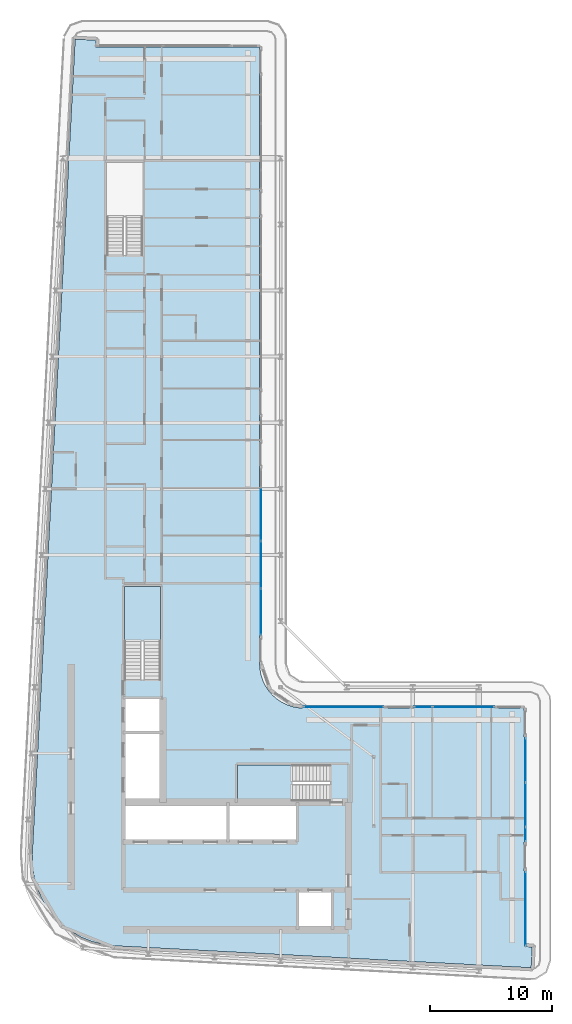
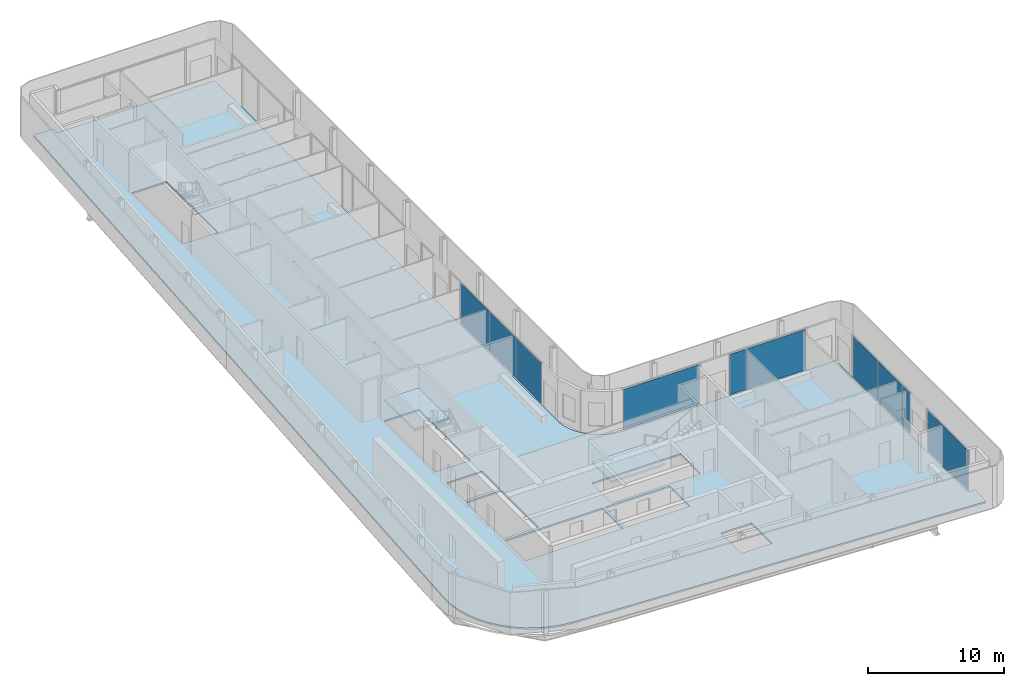
# One storey, part 9 of 21: 10 plates, 3 slabs, 9 elements without a shape of their own.
"""IFC4 building model written with IfcOpenShell, lengths in metres."""

import ifcopenshell
import ifcopenshell.guid

model = None  # the IFC model being written
_history = None  # IfcOwnerHistory: only IFC2X3 demands one
_inside = {}  # id of a spatial element -> (the spatial element, [elements in it])
_under = {}  # id of a project, library or spatial element -> (it, [spatial elements below it])
_declared = {}  # id of a project -> (the project, [libraries it declares])
_typed = {}  # id of a type object -> (the type object, [elements of that type])
_made_of = {}  # id of a material, layer set ... -> (it, [elements and type objects made of it])


def new_model(schema):
    """Start an empty IFC model of exactly this schema.

    Asked for "IFC4X3", IfcOpenShell would pick the latest addendum, in which some entities
    have other attributes; the version numbers below select the first issue.
    IFC2X3 requires an IfcOwnerHistory on every rooted entity: one is made here for all.
    """
    global model, _history
    if schema == "IFC4X3":
        model = ifcopenshell.file(schema_version=(4, 3, 0, 0))
    else:
        model = ifcopenshell.file(schema=schema)
    _inside.clear()
    _under.clear()
    _declared.clear()
    _typed.clear()
    _made_of.clear()
    _history = None
    if model.schema == "IFC2X3":
        org = make("IfcOrganization", Name="unknown")
        user = make(
            "IfcPersonAndOrganization",
            ThePerson=make("IfcPerson", FamilyName="unknown"),
            TheOrganization=org,
        )
        app = make(
            "IfcApplication",
            ApplicationDeveloper=org,
            Version="unknown",
            ApplicationFullName="unknown",
            ApplicationIdentifier="unknown",
        )
        _history = make(
            "IfcOwnerHistory",
            OwningUser=user,
            OwningApplication=app,
            ChangeAction="ADDED",
            CreationDate=0,
        )
    return model


def make(cls, **values):
    """One entity of the class cls with the attributes given. An attribute that is None is left unset."""
    return model.create_entity(
        cls, **{name: value for name, value in values.items() if value is not None}
    )


def rooted(cls, **values):
    """An entity with a GlobalId (a new one), such as an element, a storey or a relation."""
    return make(cls, GlobalId=ifcopenshell.guid.new(), OwnerHistory=_history, **values)


def si_unit(unit_type, name, prefix=None):
    """IfcSIUnit, for example si_unit("LENGTHUNIT", "METRE", prefix="MILLI")."""
    return make("IfcSIUnit", UnitType=unit_type, Prefix=prefix, Name=name)


def assignment(units):
    """IfcUnitAssignment: the units of a project."""
    return None if units is None else make("IfcUnitAssignment", Units=units)


def point(xyz):
    """IfcCartesianPoint."""
    return None if xyz is None else make("IfcCartesianPoint", Coordinates=xyz)


def direction(xyz):
    """IfcDirection."""
    return None if xyz is None else make("IfcDirection", DirectionRatios=xyz)


def frame(location, z_axis=None, x_axis=None):
    """IfcAxis2Placement3D, a coordinate frame: its origin and axes. An axis left out is left unset."""
    return make(
        "IfcAxis2Placement3D",
        Location=point(location),
        Axis=direction(z_axis),
        RefDirection=direction(x_axis),
    )


def frame_2d(location, x_axis=None):
    """IfcAxis2Placement2D, a coordinate frame in the plane: its origin and x axis."""
    return make(
        "IfcAxis2Placement2D", Location=point(location), RefDirection=direction(x_axis)
    )


def origin():
    """The frame at (0, 0, 0) with its axes left unset."""
    return frame((0.0, 0.0, 0.0))


def origin_2d():
    """The frame at (0, 0) in the plane with its x axis left unset."""
    return frame_2d((0.0, 0.0))


def place(relative_to, where):
    """IfcLocalPlacement: puts the frame where relative to a parent placement (None: the world)."""
    return make(
        "IfcLocalPlacement", PlacementRelTo=relative_to, RelativePlacement=where
    )


def context(
    kind, dimensions, precision=None, world=None, true_north=None, identifier=None
):
    """IfcGeometricRepresentationContext, for example the 3D "Model" context."""
    return make(
        "IfcGeometricRepresentationContext",
        ContextIdentifier=identifier,
        ContextType=kind,
        CoordinateSpaceDimension=dimensions,
        Precision=precision,
        WorldCoordinateSystem=world,
        TrueNorth=true_north,
    )


def subcontext(parent, identifier, kind, view, scale=None):
    """IfcGeometricRepresentationSubContext, for example "Body" below "Model"."""
    return make(
        "IfcGeometricRepresentationSubContext",
        ContextIdentifier=identifier,
        ContextType=kind,
        ParentContext=parent,
        TargetScale=scale,
        TargetView=view,
    )


def project(units=None, contexts=None):
    """IfcProject with its units and contexts."""
    return rooted(
        "IfcProject",
        Name="project",
        RepresentationContexts=contexts,
        UnitsInContext=assignment(units),
    )


def spatial(cls, under=None, at=None, **own):
    """A site, building, storey or space (cls), placed at a placement, below another one or the project."""
    s = rooted(cls, ObjectPlacement=at, **own)
    if under is not None:
        _under.setdefault(under.id(), (under, []))[1].append(s)
    return s


def polyline(points):
    """IfcPolyline through the points."""
    return make("IfcPolyline", Points=[point(p) for p in points])


def profile(cls, at=None, kind="AREA", **sizes):
    """A parametric profile (cls). Its sizes go by their IFC names, for example OverallWidth=200.0."""
    return make(cls, ProfileType=kind, Position=at, **sizes)


def rectangle(**sizes):
    """IfcRectangleProfileDef."""
    return profile("IfcRectangleProfileDef", **sizes)


def outline(outer, holes=None, kind="AREA"):
    """IfcArbitraryClosedProfileDef: a profile drawn as a closed curve; with holes, ...WithVoids."""
    if holes is None:
        return make("IfcArbitraryClosedProfileDef", ProfileType=kind, OuterCurve=outer)
    return make(
        "IfcArbitraryProfileDefWithVoids",
        ProfileType=kind,
        OuterCurve=outer,
        InnerCurves=holes,
    )


def extrude(swept, where, along, depth):
    """IfcExtrudedAreaSolid: the profile swept, set in the frame where, extruded along a direction by depth."""
    return make(
        "IfcExtrudedAreaSolid",
        SweptArea=swept,
        Position=where,
        ExtrudedDirection=direction(along),
        Depth=depth,
    )


def shape(context_of_items, identifier, shape_type, items):
    """IfcShapeRepresentation: the items that make up one representation, for example the "Body"."""
    return make(
        "IfcShapeRepresentation",
        ContextOfItems=context_of_items,
        RepresentationIdentifier=identifier,
        RepresentationType=shape_type,
        Items=items,
    )


def material(Name=None, Category=None):
    """IfcMaterial."""
    return make("IfcMaterial", Name=Name, Category=Category)


def layer(
    of_material, thickness, ventilated=None, Name=None, Category=None, Priority=None
):
    """IfcMaterialLayer: one layer of a wall or slab, of a material (None: an air gap)."""
    return make(
        "IfcMaterialLayer",
        Material=of_material,
        LayerThickness=thickness,
        IsVentilated=ventilated,
        Name=Name,
        Category=Category,
        Priority=Priority,
    )


def layer_set(layers, Name=None):
    """IfcMaterialLayerSet."""
    return make("IfcMaterialLayerSet", MaterialLayers=layers, LayerSetName=Name)


def made_of(thing, what):
    """Note that an element or type object is made of a material, layer set ...; save() writes the relation."""
    if what is not None:
        _made_of.setdefault(what.id(), (what, []))[1].append(thing)
    return thing


def type_object(cls, material=None, **own):
    """A type object (cls), such as IfcWallType, which elements share."""
    return made_of(rooted(cls, **own), material)


def element(
    cls,
    number,
    at=None,
    inside=None,
    cuts=None,
    type_object=None,
    material=None,
    context=None,
    identifier="Body",
    shape_type=None,
    held_by="IfcProductDefinitionShape",
    body=None,
    shapes=None,
    **own,
):
    """One element of the class cls, such as IfcWall. Its Tag is "e" and its number.

    at: its placement. inside: the storey or other place that contains it. cuts: it is an
    opening in that element (IfcRelVoidsElement). A single representation is given by context,
    identifier, shape_type and body (its items); several are given by shapes. held_by: the class
    of the entity that holds the representations. save() writes the other relations.
    """
    e = rooted(cls, Tag="e%d" % number, ObjectPlacement=at, **own)
    if body is not None:
        shapes = [shape(context, identifier, shape_type, body)]
    if shapes is not None:
        e.Representation = make(held_by, Representations=shapes)
    if inside is not None:
        _inside.setdefault(inside.id(), (inside, []))[1].append(e)
    if cuts is not None:
        rooted(
            "IfcRelVoidsElement", RelatingBuildingElement=cuts, RelatedOpeningElement=e
        )
    if type_object is not None:
        _typed.setdefault(type_object.id(), (type_object, []))[1].append(e)
    return made_of(e, material)


def aggregate(whole, parts):
    """IfcRelAggregates: a whole, such as a stair, and the parts it consists of."""
    return rooted("IfcRelAggregates", RelatingObject=whole, RelatedObjects=parts)


def save(model, path):
    """Write the relations noted so far, then the file.

    IfcRelAggregates (storeys below a building ...), IfcRelContainedInSpatialStructure (elements
    in a storey), IfcRelDefinesByType, IfcRelAssociatesMaterial and IfcRelDeclares: one each for
    every whole, place, type object, material and project.
    """
    for whole, parts in _under.values():
        aggregate(whole, parts)
    for where, things in _inside.values():
        rooted(
            "IfcRelContainedInSpatialStructure",
            RelatedElements=things,
            RelatingStructure=where,
        )
    for kind, things in _typed.values():
        rooted("IfcRelDefinesByType", RelatedObjects=things, RelatingType=kind)
    for what, things in _made_of.values():
        rooted("IfcRelAssociatesMaterial", RelatedObjects=things, RelatingMaterial=what)
    for by, libraries in _declared.values():
        rooted("IfcRelDeclares", RelatingContext=by, RelatedDefinitions=libraries)
    model.write(path)


model = new_model("IFC4")

# Units and contexts
model_context = context("Model", 3, precision=1e-05, world=origin(), true_north=direction((0.0, 1.0)))
body_context = subcontext(model_context, "Body", "Model", "MODEL_VIEW")
ifc_project = project(units=[si_unit("LENGTHUNIT", "METRE"), si_unit("AREAUNIT", "SQUARE_METRE"), si_unit("VOLUMEUNIT", "CUBIC_METRE"), si_unit("PLANEANGLEUNIT", "RADIAN"), si_unit("MASSUNIT", "GRAM", prefix="KILO")], contexts=[model_context])

# Site, building, storey
site_placement = place(None, origin())
site = spatial("IfcSite", under=ifc_project, at=site_placement, CompositionType="ELEMENT")
building_placement = place(site_placement, origin())
building = spatial("IfcBuilding", under=site, at=building_placement, Name="Kheshtan School and Residences Tower", CompositionType="ELEMENT")
storey_placement = place(building_placement, frame((0.0, 0.0, 321.5)))
storey = spatial("IfcBuildingStorey", under=building, at=storey_placement, Name="L76", CompositionType="ELEMENT", Elevation=321.5)

# Curtain wall, plate
ifc_material_1 = material(Name="Clear low-e glass in thermally broken aluminium frame", Category="aluminium")
ifc_layer_1 = layer(ifc_material_1, 0.199951171875)
ifc_layer_set_1 = layer_set([ifc_layer_1], Name="Curtain wall CW-L")
curtain_wall_type = type_object("IfcCurtainWallType", Name="Curtain wall CW-L", PredefinedType="NOTDEFINED", material=ifc_layer_set_1)
curtain_wall_1_placement = place(storey_placement, origin())
curtain_wall_1 = element("IfcCurtainWall", 1, at=curtain_wall_1_placement, inside=storey, type_object=curtain_wall_type, Name="Curtain wall CWL8m", PredefinedType="NOTDEFINED")
ifc_layer_2 = layer(ifc_material_1, 0.031982421875)
ifc_layer_set_2 = layer_set([ifc_layer_2], Name="CW-L glass panel")
plate_type = type_object("IfcPlateType", Name="CW-L glass panel", PredefinedType="CURTAIN_PANEL", material=ifc_layer_set_2)
plate_1_placement = place(storey_placement, frame((46.0, 59.72705078125, 0.0), z_axis=(0.0, 0.0, 1.0), x_axis=(0.0, -1.0, 0.0)))
plate_1 = element("IfcPlate", 2, at=plate_1_placement, type_object=plate_type, Name="CWL8m panel 2.1", PredefinedType="CURTAIN_PANEL", context=body_context, shape_type="SweptSolid", body=[
    extrude(rectangle(XDim=4.285888671875, YDim=0.031982421875, at=origin_2d()), origin(), (0.0, 0.0, 1.0), 3.6298828125),
])
aggregate(curtain_wall_1, [plate_1])

# Curtain wall, plates
curtain_wall_2_placement = place(storey_placement, origin())
curtain_wall_2 = element("IfcCurtainWall", 3, at=curtain_wall_2_placement, inside=storey, type_object=curtain_wall_type, Name="Curtain wall CWL8", PredefinedType="NOTDEFINED")
plate_2_placement = place(storey_placement, frame((46.0, 55.615478515625, 0.0), z_axis=(0.0, 0.0, 1.0), x_axis=(0.0, -1.0, 0.0)))
plate_2 = element("IfcPlate", 4, at=plate_2_placement, type_object=plate_type, Name="CWL8 panel 1.1", PredefinedType="CURTAIN_PANEL", context=body_context, shape_type="SweptSolid", body=[
    extrude(rectangle(XDim=3.81689453125, YDim=0.031982421875, at=origin_2d()), origin(), (0.0, 0.0, 1.0), 3.6298828125),
])
plate_3_placement = place(storey_placement, frame((46.0, 51.7685546875, 0.0), z_axis=(0.0, 0.0, 1.0), x_axis=(0.0, -1.0, 0.0)))
plate_3 = element("IfcPlate", 5, at=plate_3_placement, type_object=plate_type, Name="CWL8 panel 2.1", PredefinedType="CURTAIN_PANEL", context=body_context, shape_type="SweptSolid", body=[
    extrude(rectangle(XDim=3.757080078125, YDim=0.031982421875, at=origin_2d()), origin(), (0.0, 0.0, 1.0), 3.6298828125),
])
aggregate(curtain_wall_2, [plate_2, plate_3])

# Curtain wall, plate
curtain_wall_3_placement = place(storey_placement, origin())
curtain_wall_3 = element("IfcCurtainWall", 6, at=curtain_wall_3_placement, inside=storey, type_object=curtain_wall_type, Name="Curtain wall CWL1233", PredefinedType="NOTDEFINED")
plate_4_placement = place(storey_placement, frame((52.74755859375, 44.0, 0.0), z_axis=(0.0, 0.0, 1.0), x_axis=(1.0, 0.0, 0.0)))
plate_4 = element("IfcPlate", 7, at=plate_4_placement, type_object=plate_type, Name="CWL1233 panel 1.1", PredefinedType="CURTAIN_PANEL", context=body_context, shape_type="SweptSolid", body=[
    extrude(rectangle(XDim=6.514892578125, YDim=0.031982421875, at=origin_2d()), origin(), (0.0, 0.0, 1.0), 3.6298828125),
])
aggregate(curtain_wall_3, [plate_4])

# Curtain wall, plates
curtain_wall_4_placement = place(storey_placement, origin())
curtain_wall_4 = element("IfcCurtainWall", 8, at=curtain_wall_4_placement, inside=storey, type_object=curtain_wall_type, Name="Curtain wall CWL1234", PredefinedType="NOTDEFINED")
plate_5_placement = place(storey_placement, frame((59.24755859375, 44.0, 0.0), z_axis=(0.0, 0.0, 1.0), x_axis=(1.0, 0.0, 0.0)))
plate_5 = element("IfcPlate", 9, at=plate_5_placement, type_object=plate_type, Name="CWL1234 panel 1.1", PredefinedType="CURTAIN_PANEL", context=body_context, shape_type="SweptSolid", body=[
    extrude(rectangle(XDim=1.445068359375, YDim=0.031982421875, at=origin_2d()), origin(), (0.0, 0.0, 1.0), 3.6298828125),
])
plate_6_placement = place(storey_placement, frame((62.534912109375, 44.0, 0.0), z_axis=(0.0, 0.0, 1.0), x_axis=(1.0, 0.0, 0.0)))
plate_6 = element("IfcPlate", 10, at=plate_6_placement, type_object=plate_type, Name="CWL1234 panel 2.1", PredefinedType="CURTAIN_PANEL", context=body_context, shape_type="SweptSolid", body=[
    extrude(rectangle(XDim=5.010009765625, YDim=0.031982421875, at=origin_2d()), origin(), (0.0, 0.0, 1.0), 3.6298828125),
])
aggregate(curtain_wall_4, [plate_5, plate_6])

curtain_wall_5_placement = place(storey_placement, origin())
curtain_wall_5 = element("IfcCurtainWall", 11, at=curtain_wall_5_placement, inside=storey, type_object=curtain_wall_type, Name="Curtain wall CWL13e", PredefinedType="NOTDEFINED")
plate_7_placement = place(storey_placement, frame((67.60009765625, 39.64990234375, 0.0), z_axis=(0.0, 0.0, 1.0), x_axis=(0.0, -1.0, 0.0)))
plate_7 = element("IfcPlate", 12, at=plate_7_placement, type_object=plate_type, Name="CWL13e panel 1.1", PredefinedType="CURTAIN_PANEL", context=body_context, shape_type="SweptSolid", body=[
    extrude(rectangle(XDim=3.580322265625, YDim=0.031982421875, at=origin_2d()), origin(), (0.0, 0.0, 1.0), 3.6298828125),
])
plate_8_placement = place(storey_placement, frame((67.60009765625, 36.009521484375, 0.0), z_axis=(0.0, 0.0, 1.0), x_axis=(0.0, -1.0, 0.0)))
plate_8 = element("IfcPlate", 13, at=plate_8_placement, type_object=plate_type, Name="CWL13e panel 2.1", PredefinedType="CURTAIN_PANEL", context=body_context, shape_type="SweptSolid", body=[
    extrude(rectangle(XDim=3.580322265625, YDim=0.031982421875, at=origin_2d()), origin(), (0.0, 0.0, 1.0), 3.6298828125),
])
aggregate(curtain_wall_5, [plate_7, plate_8])

# Curtain wall, plate
curtain_wall_6_placement = place(storey_placement, origin())
curtain_wall_6 = element("IfcCurtainWall", 14, at=curtain_wall_6_placement, inside=storey, type_object=curtain_wall_type, Name="Curtain wall CWL13f", PredefinedType="NOTDEFINED")
plate_9_placement = place(storey_placement, frame((67.60009765625, 33.589599609375, 0.0), z_axis=(0.0, 0.0, 1.0), x_axis=(0.0, -1.0, 0.0)))
plate_9 = element("IfcPlate", 15, at=plate_9_placement, type_object=plate_type, Name="CWL13f panel 1.1", PredefinedType="CURTAIN_PANEL", context=body_context, shape_type="SweptSolid", body=[
    extrude(rectangle(XDim=1.139892578125, YDim=0.031982421875, at=origin_2d()), origin(), (0.0, 0.0, 1.0), 3.6298828125),
])
aggregate(curtain_wall_6, [plate_9])

curtain_wall_7_placement = place(storey_placement, origin())
curtain_wall_7 = element("IfcCurtainWall", 16, at=curtain_wall_7_placement, inside=storey, type_object=curtain_wall_type, Name="Curtain wall CWL13g", PredefinedType="NOTDEFINED")
plate_10_placement = place(storey_placement, frame((67.60009765625, 27.4892578125, 0.0), z_axis=(0.0, 0.0, 1.0), x_axis=(0.0, -1.0, 0.0)))
plate_10 = element("IfcPlate", 17, at=plate_10_placement, type_object=plate_type, Name="CWL13g panel 1.1", PredefinedType="CURTAIN_PANEL", context=body_context, shape_type="SweptSolid", body=[
    extrude(rectangle(XDim=6.0205078125, YDim=0.031982421875, at=origin_2d()), origin(), (0.0, 0.0, 1.0), 3.6298828125),
])
aggregate(curtain_wall_7, [plate_10])

# Slab
ifc_material_2 = material(Name="Concrete C40/50", Category="concrete")
ifc_layer_3 = layer(ifc_material_2, 0.14990234375)
ifc_layer_set_3 = layer_set([ifc_layer_3], Name="Floor slab 150 Concrete C40/50")
slab_type_1 = type_object("IfcSlabType", Name="Floor slab 150 Concrete C40/50", PredefinedType="FLOOR", material=ifc_layer_set_3)
slab_1_placement = place(storey_placement, frame((0.0, 0.0, -0.14990234375)))
element("IfcSlab", 18, at=slab_1_placement, inside=storey, type_object=slab_type_1, Name="Floor slab L76", PredefinedType="FLOOR", context=body_context, shape_type="SweptSolid", body=[
    extrude(outline(polyline([(28.55908203125, 27.550048828125), (28.0849609375, 28.345947265625), (27.718017578125, 29.200927734375), (27.466064453125, 30.093017578125), (27.466064453125, 30.093994140625), (27.3330078125, 31.013916015625), (27.320068359375, 31.965087890625), (27.320068359375, 31.970947265625), (30.822021484375, 98.5009765625), (30.822998046875, 98.508056640625), (30.825927734375, 98.531005859375), (30.825927734375, 98.531982421875), (30.826904296875, 98.531982421875), (31.422119140625, 98.5), (31.423095703125, 98.5), (31.423095703125, 98.4990234375), (31.423095703125, 98.4951171875), (31.423095703125, 98.493896484375), (31.424072265625, 98.493896484375), (31.424072265625, 98.492919921875), (31.425048828125, 98.492919921875), (31.426025390625, 98.492919921875), (31.426025390625, 98.493896484375), (31.427978515625, 98.49609375), (31.428955078125, 98.4970703125), (31.429931640625, 98.498046875), (31.430908203125, 98.498046875), (31.430908203125, 98.4990234375), (31.431884765625, 98.4990234375), (31.431884765625, 98.5), (31.43505859375, 98.5009765625), (31.43603515625, 98.501953125), (31.43896484375, 98.501953125), (31.43994140625, 98.501953125), (31.43994140625, 98.5029296875), (31.44091796875, 98.5029296875), (31.446044921875, 98.5029296875), (32.5009765625, 98.447021484375), (32.50390625, 98.447021484375), (32.5048828125, 98.447021484375), (32.5048828125, 98.446044921875), (32.506103515625, 98.446044921875), (32.510009765625, 98.446044921875), (32.510009765625, 98.445068359375), (32.510986328125, 98.445068359375), (32.510986328125, 98.444091796875), (32.511962890625, 98.444091796875), (32.511962890625, 98.443115234375), (32.512939453125, 98.443115234375), (32.513916015625, 98.443115234375), (32.513916015625, 98.44189453125), (32.514892578125, 98.44189453125), (32.51611328125, 98.44189453125), (32.51904296875, 98.43896484375), (32.51904296875, 98.43798828125), (32.51904296875, 98.43701171875), (32.52001953125, 98.43701171875), (32.52001953125, 98.43603515625), (32.52099609375, 98.43603515625), (32.52099609375, 98.43408203125), (32.52099609375, 98.43310546875), (32.52197265625, 98.43310546875), (32.52197265625, 98.431884765625), (32.52294921875, 98.431884765625), (32.52294921875, 98.430908203125), (32.52294921875, 98.428955078125), (32.52294921875, 98.427978515625), (32.52392578125, 98.427978515625), (32.52392578125, 98.427001953125), (32.52392578125, 98.422119140625), (32.4970703125, 97.9208984375), (32.4970703125, 97.91796875), (32.4970703125, 97.9169921875), (32.49609375, 97.9169921875), (32.49609375, 97.916015625), (32.49609375, 97.912109375), (32.4951171875, 97.910888671875), (32.4951171875, 97.909912109375), (32.493896484375, 97.909912109375), (32.493896484375, 97.908935546875), (32.492919921875, 97.908935546875), (32.492919921875, 97.907958984375), (32.489013671875, 97.904052734375), (32.488037109375, 97.904052734375), (32.488037109375, 97.903076171875), (32.488037109375, 97.902099609375), (32.488037109375, 97.90087890625), (32.489013671875, 97.90087890625), (32.489013671875, 97.89990234375), (32.489990234375, 97.89990234375), (45.85498046875, 97.89990234375), (45.864990234375, 97.89794921875), (45.865966796875, 97.89794921875), (45.868896484375, 97.89599609375), (45.8740234375, 97.89404296875), (45.8779296875, 97.89208984375), (45.881103515625, 97.889892578125), (45.881103515625, 97.888916015625), (45.882080078125, 97.888916015625), (45.882080078125, 97.887939453125), (45.883056640625, 97.887939453125), (45.884033203125, 97.885009765625), (45.885009765625, 97.885009765625), (45.885009765625, 97.884033203125), (45.887939453125, 97.883056640625), (45.887939453125, 97.882080078125), (45.888916015625, 97.882080078125), (45.888916015625, 97.881103515625), (45.889892578125, 97.881103515625), (45.89208984375, 97.8779296875), (45.89404296875, 97.8740234375), (45.89599609375, 97.868896484375), (45.89794921875, 97.865966796875), (45.89794921875, 97.864990234375), (45.89990234375, 97.85498046875), (45.89990234375, 47.429931640625), (45.927001953125, 47.030029296875), (46.01806640625, 46.570068359375), (46.01806640625, 46.569091796875), (46.169921875, 46.1201171875), (46.37890625, 45.697021484375), (46.638916015625, 45.30810546875), (46.949951171875, 44.950927734375), (46.950927734375, 44.949951171875), (47.30810546875, 44.638916015625), (47.697021484375, 44.37890625), (48.1201171875, 44.169921875), (48.569091796875, 44.01806640625), (48.570068359375, 44.01806640625), (49.030029296875, 43.927001953125), (49.429931640625, 43.89990234375), (67.455078125, 43.89990234375), (67.4599609375, 43.89892578125), (67.465087890625, 43.89794921875), (67.466064453125, 43.89794921875), (67.468994140625, 43.89599609375), (67.47412109375, 43.89404296875), (67.47802734375, 43.89208984375), (67.48095703125, 43.889892578125), (67.48095703125, 43.888916015625), (67.48193359375, 43.888916015625), (67.48193359375, 43.887939453125), (67.48291015625, 43.887939453125), (67.48388671875, 43.885009765625), (67.485107421875, 43.885009765625), (67.485107421875, 43.884033203125), (67.488037109375, 43.883056640625), (67.488037109375, 43.882080078125), (67.489013671875, 43.882080078125), (67.489013671875, 43.881103515625), (67.489990234375, 43.881103515625), (67.491943359375, 43.8779296875), (67.493896484375, 43.8740234375), (67.49609375, 43.868896484375), (67.498046875, 43.865966796875), (67.498046875, 43.864990234375), (67.4990234375, 43.860107421875), (67.5, 43.85498046875), (67.5, 24.4140625), (67.5, 24.4130859375), (67.5009765625, 24.4130859375), (67.5009765625, 24.412109375), (67.501953125, 24.412109375), (67.5029296875, 24.412109375), (67.5029296875, 24.4130859375), (67.5048828125, 24.4150390625), (67.507080078125, 24.4169921875), (67.508056640625, 24.4169921875), (67.508056640625, 24.41796875), (67.509033203125, 24.41796875), (67.509033203125, 24.4189453125), (67.510009765625, 24.4189453125), (67.511962890625, 24.419921875), (67.512939453125, 24.4208984375), (67.51611328125, 24.4208984375), (67.51708984375, 24.4208984375), (67.51708984375, 24.422119140625), (67.51806640625, 24.422119140625), (67.52294921875, 24.422119140625), (68.137939453125, 24.388916015625), (68.14111328125, 24.388916015625), (68.14208984375, 24.388916015625), (68.14208984375, 24.387939453125), (68.14306640625, 24.387939453125), (68.14697265625, 24.387939453125), (68.14697265625, 24.386962890625), (68.14794921875, 24.386962890625), (68.14794921875, 24.385986328125), (68.14892578125, 24.385986328125), (68.14892578125, 24.385009765625), (68.14990234375, 24.385009765625), (68.15087890625, 24.385009765625), (68.15087890625, 24.384033203125), (68.152099609375, 24.384033203125), (68.153076171875, 24.384033203125), (68.153076171875, 24.383056640625), (68.155029296875, 24.381103515625), (68.156005859375, 24.381103515625), (68.156005859375, 24.3798828125), (68.156005859375, 24.37890625), (68.156982421875, 24.37890625), (68.156982421875, 24.3779296875), (68.157958984375, 24.3779296875), (68.157958984375, 24.3759765625), (68.157958984375, 24.375), (68.158935546875, 24.375), (68.158935546875, 24.3740234375), (68.159912109375, 24.3740234375), (68.159912109375, 24.373046875), (68.159912109375, 24.37109375), (68.159912109375, 24.3701171875), (68.160888671875, 24.3701171875), (68.160888671875, 24.368896484375), (68.160888671875, 24.364013671875), (68.10498046875, 23.306884765625), (68.10498046875, 23.303955078125), (68.10498046875, 23.302978515625), (68.10400390625, 23.302978515625), (68.10400390625, 23.302001953125), (68.10400390625, 23.298095703125), (68.10302734375, 23.297119140625), (68.10302734375, 23.2958984375), (68.10205078125, 23.2958984375), (68.10205078125, 23.294921875), (68.10107421875, 23.294921875), (68.10107421875, 23.2939453125), (68.10009765625, 23.29296875), (68.097900390625, 23.291015625), (68.096923828125, 23.2900390625), (68.095947265625, 23.2900390625), (68.095947265625, 23.2890625), (68.095947265625, 23.2880859375), (68.095947265625, 23.287109375), (68.096923828125, 23.287109375), (68.096923828125, 23.285888671875), (68.097900390625, 23.285888671875), (68.09912109375, 23.285888671875), (68.10009765625, 23.285888671875), (68.10009765625, 23.284912109375), (68.068115234375, 22.68994140625), (68.068115234375, 22.68896484375), (68.06689453125, 22.68896484375), (68.04296875, 22.68798828125), (68.0380859375, 22.68798828125), (34.056884765625, 24.47802734375), (33.114990234375, 24.590087890625), (32.215087890625, 24.819091796875), (32.214111328125, 24.819091796875), (31.35205078125, 25.1630859375), (30.541015625, 25.616943359375), (29.799072265625, 26.1708984375), (29.799072265625, 26.172119140625), (29.798095703125, 26.172119140625), (29.134033203125, 26.820068359375), (29.134033203125, 26.821044921875), (29.133056640625, 26.821044921875), (28.55908203125, 27.550048828125)]), holes=[polyline([(67.5009765625, 23.29296875), (67.5, 23.29296875), (67.5, 23.2919921875), (67.5, 23.2880859375), (67.5, 23.287109375), (67.5009765625, 23.287109375), (67.5009765625, 23.285888671875), (67.501953125, 23.285888671875), (67.506103515625, 23.285888671875), (67.507080078125, 23.285888671875), (67.507080078125, 23.287109375), (67.508056640625, 23.287109375), (67.508056640625, 23.2880859375), (67.508056640625, 23.2890625), (67.507080078125, 23.2890625), (67.506103515625, 23.2900390625), (67.5048828125, 23.291015625), (67.5029296875, 23.29296875), (67.5029296875, 23.2939453125), (67.501953125, 23.2939453125), (67.5009765625, 23.2939453125), (67.5009765625, 23.29296875)]), polyline([(31.424072265625, 97.906982421875), (31.423095703125, 97.906982421875), (31.423095703125, 97.906005859375), (31.423095703125, 97.902099609375), (31.423095703125, 97.90087890625), (31.424072265625, 97.90087890625), (31.424072265625, 97.89990234375), (31.425048828125, 97.89990234375), (31.428955078125, 97.89990234375), (31.429931640625, 97.89990234375), (31.429931640625, 97.90087890625), (31.430908203125, 97.90087890625), (31.430908203125, 97.902099609375), (31.430908203125, 97.903076171875), (31.429931640625, 97.903076171875), (31.428955078125, 97.904052734375), (31.427978515625, 97.905029296875), (31.427001953125, 97.906005859375), (31.426025390625, 97.906982421875), (31.426025390625, 97.907958984375), (31.425048828125, 97.907958984375), (31.424072265625, 97.907958984375), (31.424072265625, 97.906982421875)]), polyline([(51.72509765625, 28.925048828125), (49.125, 28.925048828125), (49.125, 25.925048828125), (51.72509765625, 25.925048828125), (51.72509765625, 28.925048828125)]), polyline([(43.175048828125, 33.074951171875), (43.175048828125, 36.074951171875), (34.875, 36.074951171875), (34.875, 33.074951171875), (43.175048828125, 33.074951171875)]), polyline([(43.425048828125, 36.074951171875), (43.425048828125, 33.074951171875), (48.875, 33.074951171875), (48.875, 36.074951171875), (43.425048828125, 36.074951171875)]), polyline([(51.64990234375, 37.699951171875), (51.64990234375, 39.25), (44.090087890625, 39.25), (44.090087890625, 36.300048828125), (51.639892578125, 36.300048828125), (51.639892578125, 37.699951171875), (51.64990234375, 37.699951171875)]), polyline([(37.875, 41.77490234375), (34.875, 41.77490234375), (34.875, 36.324951171875), (37.875, 36.324951171875), (37.875, 41.77490234375)]), polyline([(37.875, 44.625), (34.875, 44.625), (34.875, 42.02490234375), (37.875, 42.02490234375), (37.875, 44.625)]), polyline([(37.800048828125, 53.81005859375), (34.85009765625, 53.81005859375), (34.85009765625, 46.260009765625), (36.25, 46.260009765625), (36.25, 46.25), (37.800048828125, 46.25), (37.800048828125, 53.81005859375)]), polyline([(36.35009765625, 88.4599609375), (33.39990234375, 88.4599609375), (33.39990234375, 80.909912109375), (34.800048828125, 80.909912109375), (34.800048828125, 80.89990234375), (36.35009765625, 80.89990234375), (36.35009765625, 88.4599609375)])]), origin(), (0.0, 0.0, 1.0), 0.14990234375),
])

# Stair, slab
stair_type = type_object("IfcStairType", Name="Exit stair, half-turn", PredefinedType="HALF_TURN_STAIR", material=ifc_material_2)
stair_1_placement = place(storey_placement, origin())
stair_1 = element("IfcStair", 19, at=stair_1_placement, inside=storey, type_object=stair_type, Name="L76 Protected Exit Stair ST1", PredefinedType="HALF_TURN_STAIR")
ifc_layer_4 = layer(ifc_material_2, 0.199951171875)
ifc_layer_set_4 = layer_set([ifc_layer_4], Name="Stair landing 200 Concrete C40/50")
slab_type_2 = type_object("IfcSlabType", Name="Stair landing 200 Concrete C40/50", PredefinedType="LANDING", material=ifc_layer_set_4)
slab_2_placement = place(storey_placement, frame((0.0, 0.0, 1.75)))
slab_2 = element("IfcSlab", 20, at=slab_2_placement, type_object=slab_type_2, Name="ST1 landing 1", PredefinedType="LANDING", context=body_context, shape_type="SweptSolid", body=[
    extrude(outline(polyline([(48.570068359375, 39.25), (44.090087890625, 39.25), (44.090087890625, 36.300048828125), (48.570068359375, 36.300048828125), (48.570068359375, 39.25)])), origin(), (0.0, 0.0, 1.0), 0.199951171875),
])
aggregate(stair_1, [slab_2])

stair_2_placement = place(storey_placement, origin())
stair_2 = element("IfcStair", 21, at=stair_2_placement, inside=storey, type_object=stair_type, Name="L76 Protected Exit Stair ST2", PredefinedType="HALF_TURN_STAIR")
slab_3_placement = place(storey_placement, frame((0.0, 0.0, 1.75)))
slab_3 = element("IfcSlab", 22, at=slab_3_placement, type_object=slab_type_2, Name="ST2 landing 1", PredefinedType="LANDING", context=body_context, shape_type="SweptSolid", body=[
    extrude(outline(polyline([(37.800048828125, 49.330078125), (37.800048828125, 53.81005859375), (34.85009765625, 53.81005859375), (34.85009765625, 49.330078125), (37.800048828125, 49.330078125)])), origin(), (0.0, 0.0, 1.0), 0.199951171875),
])
aggregate(stair_2, [slab_3])

save(model, "model.ifc")
